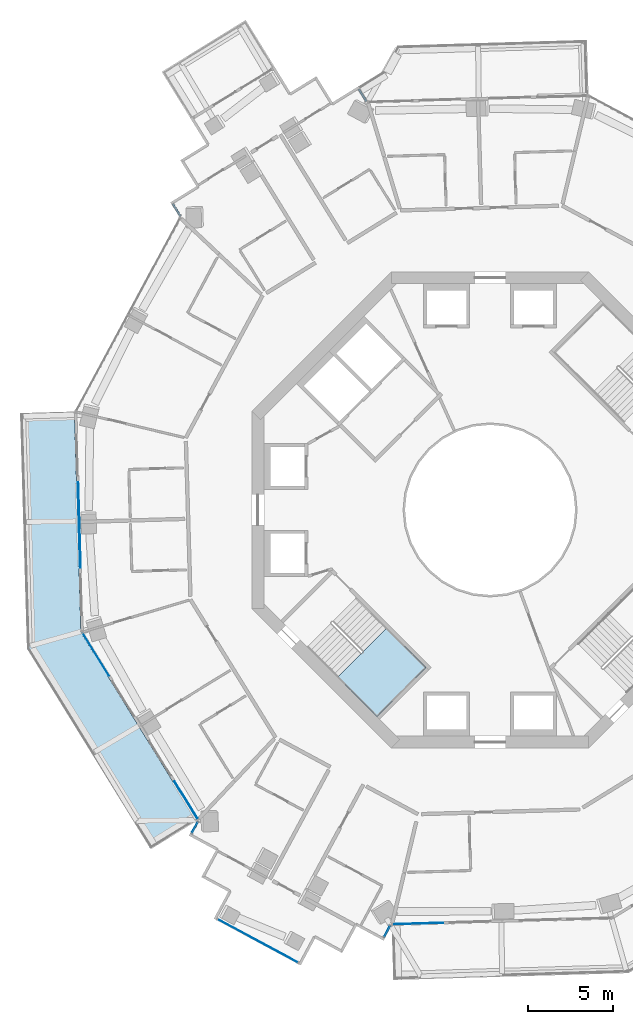
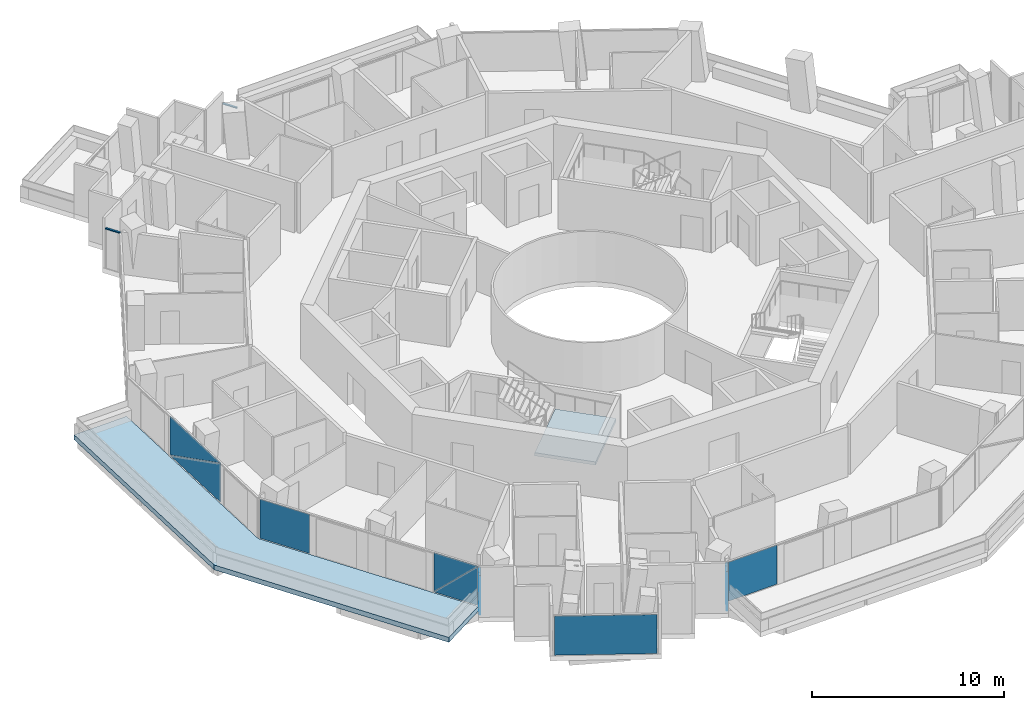
# One storey, part 10 of 22: 9 plates, 4 members, 2 slabs, 9 elements without a shape of their own.
"""IFC4 building model written with IfcOpenShell, lengths in metres."""

from ifc_helpers import new_model, si_unit, direction, frame, origin, origin_2d, place, context, subcontext, project, spatial, polyline, rectangle, outline, extrude, material, layer, layer_set, material_profile, profile_set, type_object, element, aggregate, save


model = new_model("IFC4")

# Units and contexts
model_context = context("Model", 3, precision=1e-05, world=origin(), true_north=direction((0.0, 1.0)))
body_context = subcontext(model_context, "Body", "Model", "MODEL_VIEW")
ifc_project = project(units=[si_unit("LENGTHUNIT", "METRE"), si_unit("AREAUNIT", "SQUARE_METRE"), si_unit("VOLUMEUNIT", "CUBIC_METRE"), si_unit("PLANEANGLEUNIT", "RADIAN"), si_unit("MASSUNIT", "GRAM", prefix="KILO")], contexts=[model_context])

# Site, building, storey
site_placement = place(None, origin())
site = spatial("IfcSite", under=ifc_project, at=site_placement, CompositionType="ELEMENT")
building_placement = place(site_placement, origin())
building = spatial("IfcBuilding", under=site, at=building_placement, Name="Verdalira Terraces Hotel", CompositionType="ELEMENT")
storey_placement = place(building_placement, frame((0.0, 0.0, 162.0)))
storey = spatial("IfcBuildingStorey", under=building, at=storey_placement, Name="L39", CompositionType="ELEMENT", Elevation=162.0)

# Curtain wall, member
ifc_material_1 = material(Name="Clear glass", Category="glass")
ifc_layer_1 = layer(ifc_material_1, 0.14990234375)
ifc_layer_set_1 = layer_set([ifc_layer_1], Name="CW2 curtain wall")
curtain_wall_type_1 = type_object("IfcCurtainWallType", Name="CW2 curtain wall", PredefinedType="NOTDEFINED", material=ifc_layer_set_1)
curtain_wall_1_placement = place(storey_placement, origin())
curtain_wall_1 = element("IfcCurtainWall", 1, at=curtain_wall_1_placement, inside=storey, type_object=curtain_wall_type_1, Name="CW2 curtain wall L39 edge 0", PredefinedType="NOTDEFINED")
ifc_material_2 = material(Name="Terracotta frame", Category="masonry")
ifc_material_profile = material_profile(ifc_material_2, rectangle(XDim=0.11499, YDim=0.064941, at=origin_2d()), Name="TR 65x115")
ifc_profile_set = profile_set([ifc_material_profile], Name="Terracotta frame")
member_type = type_object("IfcMemberType", Name="CW2 transom 65x115", PredefinedType="USERDEFINED", material=ifc_profile_set)
member_1_placement = place(storey_placement, frame((-7.272217, 24.018066, 2.507568), z_axis=(-0.525187016, 0.850986838, 0.0), x_axis=(-0.850986838, -0.525187016, 0.0)))
member_1 = element("IfcMember", 2, at=member_1_placement, type_object=member_type, Name="CW2 transom", ObjectType="TRANSOM", PredefinedType="USERDEFINED", context=body_context, shape_type="SweptSolid", body=[
    extrude(rectangle(XDim=0.11499, YDim=0.064941, at=origin_2d()), origin(), (0.0, 0.0, 1.0), 0.849854),
])
aggregate(curtain_wall_1, [member_1])

curtain_wall_2_placement = place(storey_placement, origin())
curtain_wall_2 = element("IfcCurtainWall", 3, at=curtain_wall_2_placement, inside=storey, type_object=curtain_wall_type_1, Name="CW2 curtain wall L39 edge 10", PredefinedType="NOTDEFINED")
member_2_placement = place(storey_placement, frame((-18.653809, 17.99292, 2.507568), z_axis=(0.525058638, -0.851066053, 0.0), x_axis=(0.851066053, 0.525058638, 0.0)))
member_2 = element("IfcMember", 4, at=member_2_placement, type_object=member_type, Name="CW2 transom", ObjectType="TRANSOM", PredefinedType="USERDEFINED", context=body_context, shape_type="SweptSolid", body=[
    extrude(rectangle(XDim=0.11499, YDim=0.064941, at=origin_2d()), origin(), (0.0, 0.0, 1.0), 0.850098),
])
aggregate(curtain_wall_2, [member_2])

curtain_wall_3_placement = place(storey_placement, origin())
curtain_wall_3 = element("IfcCurtainWall", 5, at=curtain_wall_3_placement, inside=storey, type_object=curtain_wall_type_1, Name="CW2 curtain wall L39 edge 14", PredefinedType="NOTDEFINED")
member_3_placement = place(storey_placement, frame((-17.164062, -18.306885, 2.507568), z_axis=(-0.474459446, -0.880277362, 0.0), x_axis=(0.880277362, -0.474459446, 0.0)))
member_3 = element("IfcMember", 6, at=member_3_placement, type_object=member_type, Name="CW2 transom", ObjectType="TRANSOM", PredefinedType="USERDEFINED", context=body_context, shape_type="SweptSolid", body=[
    extrude(rectangle(XDim=0.11499, YDim=0.064941, at=origin_2d()), origin(), (0.0, 0.0, 1.0), 0.850098),
])

curtain_wall_4_placement = place(storey_placement, origin())
curtain_wall_4 = element("IfcCurtainWall", 7, at=curtain_wall_4_placement, inside=storey, type_object=curtain_wall_type_1, Name="CW2 curtain wall L39 edge 24", PredefinedType="NOTDEFINED")
member_4_placement = place(storey_placement, frame((-6.255371, -25.151123, 2.507568), z_axis=(0.474459446, 0.880277362, 0.0), x_axis=(-0.880277362, 0.474459446, 0.0)))
member_4 = element("IfcMember", 8, at=member_4_placement, type_object=member_type, Name="CW2 transom", ObjectType="TRANSOM", PredefinedType="USERDEFINED", context=body_context, shape_type="SweptSolid", body=[
    extrude(rectangle(XDim=0.11499, YDim=0.064941, at=origin_2d()), origin(), (0.0, 0.0, 1.0), 0.850098),
])

# Slab
ifc_material_3 = material(Name="Precast concrete C40/50", Category="concrete")
ifc_layer_2 = layer(ifc_material_3, 0.31005859375)
ifc_layer_set_2 = layer_set([ifc_layer_2], Name="Balcony deck 310")
slab_type_1 = type_object("IfcSlabType", Name="Balcony deck 310", PredefinedType="FLOOR", material=ifc_layer_set_2)
slab_1_placement = place(storey_placement, frame((0.0, 0.0, -0.310059)))
element("IfcSlab", 9, at=slab_1_placement, inside=storey, type_object=slab_type_1, Name="Balcony deck", PredefinedType="FLOOR", context=body_context, shape_type="SweptSolid", body=[
    extrude(outline(polyline([(-27.230713, -8.15918), (-19.953369, -19.951904), (-17.22998, -18.27124), (-24.057373, -7.208496), (-24.438477, 5.786133), (-27.637207, 5.692139), (-27.230713, -8.15918)])), origin(), (0.0, 0.0, 1.0), 0.310059),
])

# Curtain wall, plates
ifc_material_4 = material(Name="Clear glass", Category="glass")
ifc_layer_3 = layer(ifc_material_4, 0.14990234375)
ifc_layer_set_3 = layer_set([ifc_layer_3], Name="CW1 curtain wall")
curtain_wall_type_2 = type_object("IfcCurtainWallType", Name="CW1 curtain wall", PredefinedType="NOTDEFINED", material=ifc_layer_set_3)
curtain_wall_5_placement = place(storey_placement, origin())
curtain_wall_5 = element("IfcCurtainWall", 10, at=curtain_wall_5_placement, inside=storey, type_object=curtain_wall_type_2, Name="CW1 curtain wall L39 edge 12", PredefinedType="NOTDEFINED")
ifc_material_5 = material(Name="Clear glass", Category="glass")
ifc_layer_4 = layer(ifc_material_5, 0.028076171875)
ifc_layer_set_4 = layer_set([ifc_layer_4], Name="CW1 glass unit 28")
plate_type_1 = type_object("IfcPlateType", Name="CW1 glass unit 28", PredefinedType="CURTAIN_PANEL", material=ifc_layer_set_4)
plate_1_placement = place(storey_placement, frame((-24.153809, -0.887207, 1.237549), z_axis=(-0.999570155, -0.02931733, 0.0), x_axis=(0.02931733, -0.999570155, 0.0)))
plate_1 = element("IfcPlate", 11, at=plate_1_placement, type_object=plate_type_1, Name="CW1 glass unit", PredefinedType="CURTAIN_PANEL", context=body_context, shape_type="SweptSolid", body=[
    extrude(outline(polyline([(-2.510742, -1.237549), (2.510742, -1.237549), (2.510742, 1.237549), (-2.510742, -1.237549)])), origin(), (0.0, 0.0, 1.0), 0.028076),
])
plate_2_placement = place(storey_placement, frame((-24.124756, -0.886475, 1.237549), z_axis=(-0.999570155, -0.02931733, 0.0), x_axis=(0.02931733, -0.999570155, 0.0)))
plate_2 = element("IfcPlate", 12, at=plate_2_placement, type_object=plate_type_1, Name="CW1 glass unit", PredefinedType="CURTAIN_PANEL", context=body_context, shape_type="SweptSolid", body=[
    extrude(outline(polyline([(-2.510742, -1.237549), (2.510742, 1.237549), (-2.510742, 1.237549), (-2.510742, -1.237549)])), origin(), (0.0, 0.0, 1.0), 0.028076),
])
aggregate(curtain_wall_5, [plate_1, plate_2])

curtain_wall_6_placement = place(storey_placement, origin())
curtain_wall_6 = element("IfcCurtainWall", 13, at=curtain_wall_6_placement, inside=storey, type_object=curtain_wall_type_2, Name="CW1 curtain wall L39 edge 13", PredefinedType="NOTDEFINED")
plate_3_placement = place(storey_placement, frame((-23.172852, -8.498779, 0.0), z_axis=(0.0, 0.0, 1.0), x_axis=(0.52517463, -0.850994482, 0.0)))
plate_3 = element("IfcPlate", 14, at=plate_3_placement, type_object=plate_type_1, Name="CW1 glass unit", PredefinedType="CURTAIN_PANEL", context=body_context, shape_type="SweptSolid", body=[
    extrude(rectangle(XDim=2.924805, YDim=0.028076, at=origin_2d()), origin(), (0.0, 0.0, 1.0), 2.475098),
])
plate_4_placement = place(storey_placement, frame((-17.869629, -17.06543, 1.237549), z_axis=(-0.850994482, -0.52517463, 0.0), x_axis=(0.52517463, -0.850994482, 0.0)))
plate_4 = element("IfcPlate", 15, at=plate_4_placement, type_object=plate_type_1, Name="CW1 glass unit", PredefinedType="CURTAIN_PANEL", context=body_context, shape_type="SweptSolid", body=[
    extrude(outline(polyline([(-1.302246, -1.237549), (1.302246, -1.237549), (1.302246, 1.237549), (-1.302246, -1.237549)])), origin(), (0.0, 0.0, 1.0), 0.028076),
])
plate_5_placement = place(storey_placement, frame((-17.844971, -17.050049, 1.237549), z_axis=(-0.850994482, -0.52517463, 0.0), x_axis=(0.52517463, -0.850994482, 0.0)))
plate_5 = element("IfcPlate", 16, at=plate_5_placement, type_object=plate_type_1, Name="CW1 glass unit", PredefinedType="CURTAIN_PANEL", context=body_context, shape_type="SweptSolid", body=[
    extrude(outline(polyline([(-1.302246, -1.237549), (1.302246, 1.237549), (-1.302246, 1.237549), (-1.302246, -1.237549)])), origin(), (0.0, 0.0, 1.0), 0.028076),
])
aggregate(curtain_wall_6, [plate_3, plate_4, plate_5])

# Curtain wall, plate
curtain_wall_7_placement = place(storey_placement, origin())
curtain_wall_7 = element("IfcCurtainWall", 17, at=curtain_wall_7_placement, inside=storey, type_object=curtain_wall_type_2, Name="CW1 curtain wall L39 edge 25", PredefinedType="NOTDEFINED")
plate_6_placement = place(storey_placement, frame((-4.246338, -24.318359, 0.0), z_axis=(0.0, 0.0, 1.0), x_axis=(0.999570155, 0.02931733, 0.0)))
plate_6 = element("IfcPlate", 18, at=plate_6_placement, type_object=plate_type_1, Name="CW1 glass unit", PredefinedType="CURTAIN_PANEL", context=body_context, shape_type="SweptSolid", body=[
    extrude(rectangle(XDim=2.965088, YDim=0.028076, at=origin_2d()), origin(), (0.0, 0.0, 1.0), 2.475098),
])
aggregate(curtain_wall_7, [plate_6])

# Plate
ifc_material_6 = material(Name="Clear glass", Category="glass")
ifc_layer_5 = layer(ifc_material_6, 0.031982421875)
ifc_layer_set_5 = layer_set([ifc_layer_5], Name="CW2 glass unit 32")
plate_type_2 = type_object("IfcPlateType", Name="CW2 glass unit 32", PredefinedType="CURTAIN_PANEL", material=ifc_layer_set_5)
plate_7_placement = place(storey_placement, frame((-17.365723, -18.681152, 0.0), z_axis=(0.0, 0.0, 1.0), x_axis=(-0.474395525, -0.880311812, 0.0)))
plate_7 = element("IfcPlate", 19, at=plate_7_placement, type_object=plate_type_2, Name="CW2 glass unit", PredefinedType="CURTAIN_PANEL", context=body_context, shape_type="SweptSolid", body=[
    extrude(rectangle(XDim=0.709961, YDim=0.031982, at=origin_2d()), origin(), (0.0, 0.0, 1.0), 2.475098),
])

aggregate(curtain_wall_3, [member_3, plate_7])

plate_8_placement = place(storey_placement, frame((-6.053711, -24.7771, 0.0), z_axis=(0.0, 0.0, 1.0), x_axis=(0.474395525, 0.880311812, 0.0)))
plate_8 = element("IfcPlate", 20, at=plate_8_placement, type_object=plate_type_2, Name="CW2 glass unit", PredefinedType="CURTAIN_PANEL", context=body_context, shape_type="SweptSolid", body=[
    extrude(rectangle(XDim=0.709961, YDim=0.031982, at=origin_2d()), origin(), (0.0, 0.0, 1.0), 2.475098),
])

aggregate(curtain_wall_4, [member_4, plate_8])

# Curtain wall, plate
ifc_material_7 = material(Name="Clear glass", Category="glass")
ifc_layer_6 = layer(ifc_material_7, 0.14990234375)
ifc_layer_set_6 = layer_set([ifc_layer_6], Name="CW3 curtain wall")
curtain_wall_type_3 = type_object("IfcCurtainWallType", Name="CW3 curtain wall", PredefinedType="NOTDEFINED", material=ifc_layer_set_6)
curtain_wall_8_placement = place(storey_placement, origin())
curtain_wall_8 = element("IfcCurtainWall", 21, at=curtain_wall_8_placement, inside=storey, type_object=curtain_wall_type_3, Name="CW3 curtain wall L39 edge 19", PredefinedType="NOTDEFINED")
ifc_material_8 = material(Name="Clear glass", Category="glass")
ifc_layer_7 = layer(ifc_material_8, 0.035888671875)
ifc_layer_set_7 = layer_set([ifc_layer_7], Name="CW3 glass unit 36")
plate_type_3 = type_object("IfcPlateType", Name="CW3 glass unit 36", PredefinedType="CURTAIN_PANEL", material=ifc_layer_set_7)
plate_9_placement = place(storey_placement, frame((-13.654785, -25.338379, 0.0), z_axis=(0.0, 0.0, 1.0), x_axis=(0.880311812, -0.474395525, 0.0)))
plate_9 = element("IfcPlate", 22, at=plate_9_placement, type_object=plate_type_3, Name="CW3 glass unit", PredefinedType="CURTAIN_PANEL", context=body_context, shape_type="SweptSolid", body=[
    extrude(rectangle(XDim=5.340088, YDim=0.035889, at=origin_2d()), origin(), (0.0, 0.0, 1.0), 2.475098),
])
aggregate(curtain_wall_8, [plate_9])

# Stair, slab
ifc_material_9 = material(Name="Concrete C40", Category="concrete")
stair_type = type_object("IfcStairType", Name="Core stair 20 risers 2000 mm wide", PredefinedType="HALF_TURN_STAIR", material=ifc_material_9)
stair_placement = place(storey_placement, origin())
stair = element("IfcStair", 23, at=stair_placement, inside=storey, type_object=stair_type, Name="L39 Exit stair ST2", PredefinedType="HALF_TURN_STAIR")
ifc_material_10 = material(Name="Concrete C40", Category="concrete")
ifc_layer_8 = layer(ifc_material_10, 0.199951171875)
ifc_layer_set_8 = layer_set([ifc_layer_8], Name="Core stair landing 200 mm")
slab_type_2 = type_object("IfcSlabType", Name="Core stair landing 200 mm", PredefinedType="LANDING", material=ifc_layer_set_8)
slab_2_placement = place(storey_placement, frame((0.0, 0.0, 1.550049)))
slab_2 = element("IfcSlab", 24, at=slab_2_placement, type_object=slab_type_2, Name="ST2 landing 1", PredefinedType="LANDING", context=body_context, shape_type="SweptSolid", body=[
    extrude(outline(polyline([(-8.966553, -9.842529), (-6.646729, -12.162354), (-3.747559, -9.263184), (-6.067383, -6.943359), (-8.966553, -9.842529)])), origin(), (0.0, 0.0, 1.0), 0.199951),
])
aggregate(stair, [slab_2])

save(model, "model.ifc")
